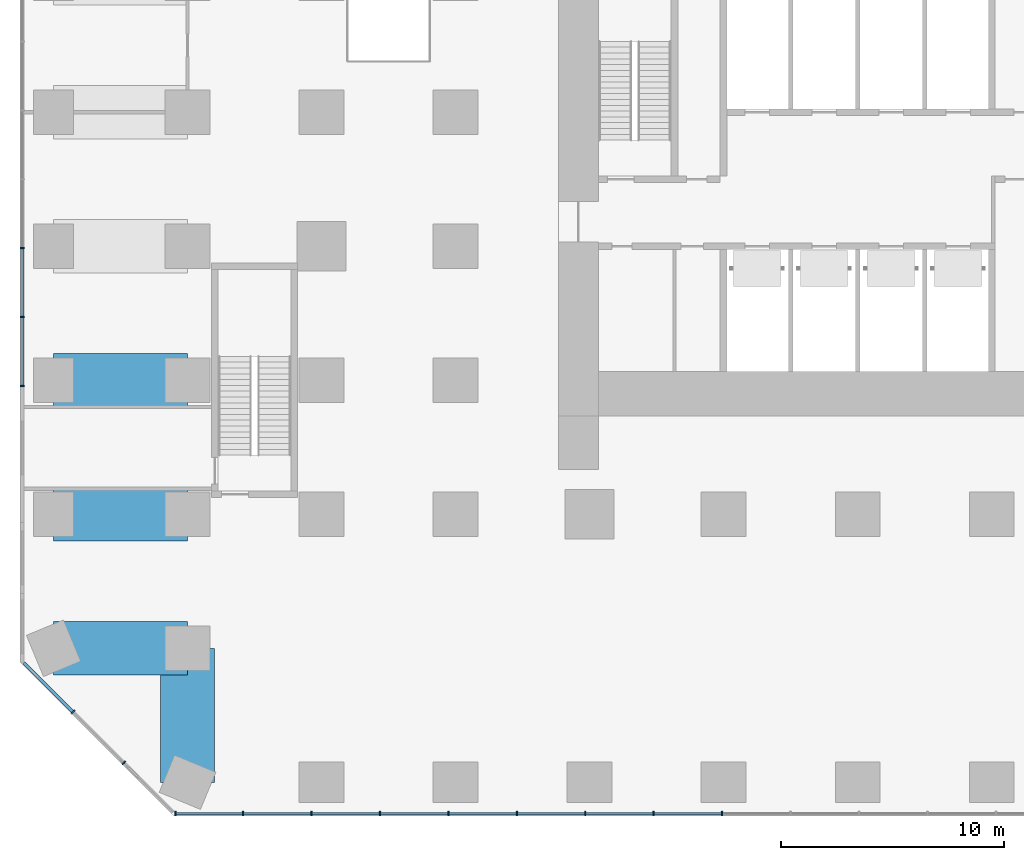
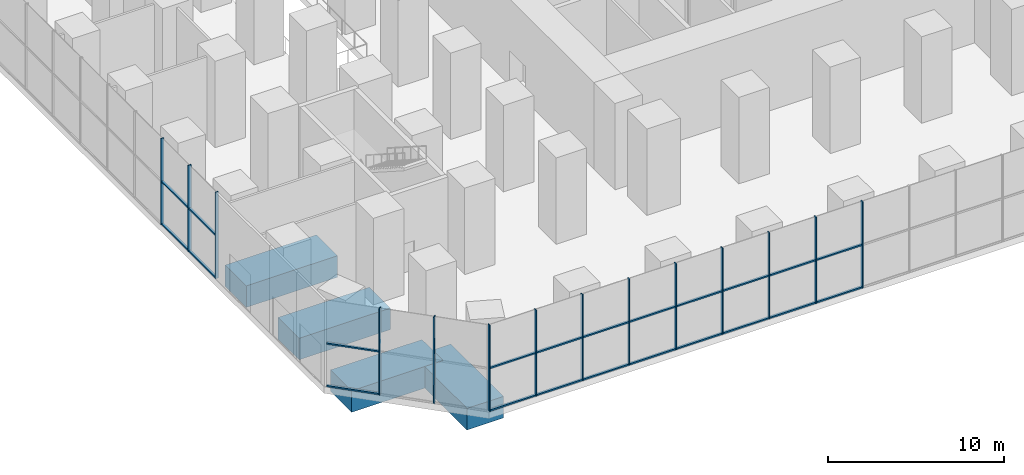
# One storey, part 2 of 21: 36 members, 4 beams, 3 elements without a shape of their own.
"""IFC4 building model written with IfcOpenShell, lengths in metres."""

from ifc_helpers import new_model, si_unit, direction, frame, origin, origin_2d, place, context, subcontext, project, spatial, rectangle, extrude, material, layer, layer_set, material_profile, profile_set, type_object, element, aggregate, save


model = new_model("IFC4")

# Units and contexts
model_context = context("Model", 3, precision=1e-05, world=origin(), true_north=direction((0.0, 1.0)))
body_context = subcontext(model_context, "Body", "Model", "MODEL_VIEW")
ifc_project = project(units=[si_unit("LENGTHUNIT", "METRE"), si_unit("AREAUNIT", "SQUARE_METRE"), si_unit("VOLUMEUNIT", "CUBIC_METRE"), si_unit("PLANEANGLEUNIT", "RADIAN"), si_unit("MASSUNIT", "GRAM", prefix="KILO")], contexts=[model_context])

# Site, building, storey
site_placement = place(None, origin())
site = spatial("IfcSite", under=ifc_project, at=site_placement, CompositionType="ELEMENT")
building_placement = place(site_placement, origin())
building = spatial("IfcBuilding", under=site, at=building_placement, Name="Highveld Stack Headquarters", CompositionType="ELEMENT")
storey_placement = place(building_placement, origin())
storey = spatial("IfcBuildingStorey", under=building, at=storey_placement, Name="L00", CompositionType="ELEMENT", Elevation=0.0)

# Curtain wall, members
ifc_material_1 = material(Name="Aluminium bronze anodised", Category="aluminium")
ifc_layer = layer(ifc_material_1, 0.199951171875)
ifc_layer_set = layer_set([ifc_layer], Name="Aluminium bronze anodised")
curtain_wall_type = type_object("IfcCurtainWallType", Name="CW3 PODIUM STICK CURTAIN WALL", PredefinedType="NOTDEFINED", material=ifc_layer_set)
curtain_wall_1_placement = place(storey_placement, origin())
curtain_wall_1 = element("IfcCurtainWall", 1, at=curtain_wall_1_placement, inside=storey, type_object=curtain_wall_type, Name="Curtain wall CW3 L00 S", PredefinedType="NOTDEFINED")
ifc_material_2 = material(Name="Aluminium bronze anodised", Category="aluminium")
ifc_material_profile_1 = material_profile(ifc_material_2, rectangle(XDim=0.199951171875, YDim=0.06494140625, at=origin_2d()), Name="CW3 MULLION 65x200")
ifc_profile_set_1 = profile_set([ifc_material_profile_1], Name="Aluminium bronze anodised")
member_type_1 = type_object("IfcMemberType", Name="CW3 MULLION 65x200", PredefinedType="MULLION", material=ifc_profile_set_1)
member_1_placement = place(storey_placement, frame((-24.54736328125, -25.39990234375, 0.0), z_axis=(0.0, 0.0, 1.0), x_axis=(0.0, 1.0, 0.0)))
member_1 = element("IfcMember", 2, at=member_1_placement, type_object=member_type_1, Name="CW3 mullion L00 1", PredefinedType="MULLION", context=body_context, shape_type="SweptSolid", body=[
    extrude(rectangle(XDim=0.199951171875, YDim=0.06494140625, at=origin_2d()), origin(), (0.0, 0.0, 1.0), 6.0),
])
member_2_placement = place(storey_placement, frame((-21.515380859375, -25.39990234375, 0.0), z_axis=(0.0, 0.0, 1.0), x_axis=(0.0, 1.0, 0.0)))
member_2 = element("IfcMember", 3, at=member_2_placement, type_object=member_type_1, Name="CW3 mullion L00 2", PredefinedType="MULLION", context=body_context, shape_type="SweptSolid", body=[
    extrude(rectangle(XDim=0.199951171875, YDim=0.06494140625, at=origin_2d()), origin(), (0.0, 0.0, 1.0), 6.0),
])
member_3_placement = place(storey_placement, frame((-18.450927734375, -25.39990234375, 0.0), z_axis=(0.0, 0.0, 1.0), x_axis=(0.0, 1.0, 0.0)))
member_3 = element("IfcMember", 4, at=member_3_placement, type_object=member_type_1, Name="CW3 mullion L00 3", PredefinedType="MULLION", context=body_context, shape_type="SweptSolid", body=[
    extrude(rectangle(XDim=0.199951171875, YDim=0.06494140625, at=origin_2d()), origin(), (0.0, 0.0, 1.0), 6.0),
])
member_4_placement = place(storey_placement, frame((-15.38671875, -25.39990234375, 0.0), z_axis=(0.0, 0.0, 1.0), x_axis=(0.0, 1.0, 0.0)))
member_4 = element("IfcMember", 5, at=member_4_placement, type_object=member_type_1, Name="CW3 mullion L00 4", PredefinedType="MULLION", context=body_context, shape_type="SweptSolid", body=[
    extrude(rectangle(XDim=0.199951171875, YDim=0.06494140625, at=origin_2d()), origin(), (0.0, 0.0, 1.0), 6.0),
])
member_5_placement = place(storey_placement, frame((-12.322265625, -25.39990234375, 0.0), z_axis=(0.0, 0.0, 1.0), x_axis=(0.0, 1.0, 0.0)))
member_5 = element("IfcMember", 6, at=member_5_placement, type_object=member_type_1, Name="CW3 mullion L00 5", PredefinedType="MULLION", context=body_context, shape_type="SweptSolid", body=[
    extrude(rectangle(XDim=0.199951171875, YDim=0.06494140625, at=origin_2d()), origin(), (0.0, 0.0, 1.0), 6.0),
])
member_6_placement = place(storey_placement, frame((-9.2578125, -25.39990234375, 0.0), z_axis=(0.0, 0.0, 1.0), x_axis=(0.0, 1.0, 0.0)))
member_6 = element("IfcMember", 7, at=member_6_placement, type_object=member_type_1, Name="CW3 mullion L00 6", PredefinedType="MULLION", context=body_context, shape_type="SweptSolid", body=[
    extrude(rectangle(XDim=0.199951171875, YDim=0.06494140625, at=origin_2d()), origin(), (0.0, 0.0, 1.0), 6.0),
])
member_7_placement = place(storey_placement, frame((-6.193359375, -25.39990234375, 0.0), z_axis=(0.0, 0.0, 1.0), x_axis=(0.0, 1.0, 0.0)))
member_7 = element("IfcMember", 8, at=member_7_placement, type_object=member_type_1, Name="CW3 mullion L00 7", PredefinedType="MULLION", context=body_context, shape_type="SweptSolid", body=[
    extrude(rectangle(XDim=0.199951171875, YDim=0.06494140625, at=origin_2d()), origin(), (0.0, 0.0, 1.0), 6.0),
])
member_8_placement = place(storey_placement, frame((-3.12890625, -25.39990234375, 0.0), z_axis=(0.0, 0.0, 1.0), x_axis=(0.0, 1.0, 0.0)))
member_8 = element("IfcMember", 9, at=member_8_placement, type_object=member_type_1, Name="CW3 mullion L00 8", PredefinedType="MULLION", context=body_context, shape_type="SweptSolid", body=[
    extrude(rectangle(XDim=0.199951171875, YDim=0.06494140625, at=origin_2d()), origin(), (0.0, 0.0, 1.0), 6.0),
])
member_9_placement = place(storey_placement, frame((-0.064453125, -25.39990234375, 0.0), z_axis=(0.0, 0.0, 1.0), x_axis=(0.0, 1.0, 0.0)))
member_9 = element("IfcMember", 10, at=member_9_placement, type_object=member_type_1, Name="CW3 mullion L00 9", PredefinedType="MULLION", context=body_context, shape_type="SweptSolid", body=[
    extrude(rectangle(XDim=0.199951171875, YDim=0.06494140625, at=origin_2d()), origin(), (0.0, 0.0, 1.0), 6.0),
])

curtain_wall_2_placement = place(storey_placement, origin())
curtain_wall_2 = element("IfcCurtainWall", 11, at=curtain_wall_2_placement, inside=storey, type_object=curtain_wall_type, Name="Curtain wall CW3 L00 W", PredefinedType="NOTDEFINED")
member_10_placement = place(storey_placement, frame((-31.39990234375, -0.082763671875, 0.0), z_axis=(0.0, 0.0, 1.0), x_axis=(1.0, 0.0, 0.0)))
member_10 = element("IfcMember", 12, at=member_10_placement, type_object=member_type_1, Name="CW3 mullion L00 9", PredefinedType="MULLION", context=body_context, shape_type="SweptSolid", body=[
    extrude(rectangle(XDim=0.199951171875, YDim=0.06494140625, at=origin_2d()), origin(), (0.0, 0.0, 1.0), 6.0),
])
member_11_placement = place(storey_placement, frame((-31.39990234375, -3.165771484375, 0.0), z_axis=(0.0, 0.0, 1.0), x_axis=(1.0, 0.0, 0.0)))
member_11 = element("IfcMember", 13, at=member_11_placement, type_object=member_type_1, Name="CW3 mullion L00 10", PredefinedType="MULLION", context=body_context, shape_type="SweptSolid", body=[
    extrude(rectangle(XDim=0.199951171875, YDim=0.06494140625, at=origin_2d()), origin(), (0.0, 0.0, 1.0), 6.0),
])
member_12_placement = place(storey_placement, frame((-31.39990234375, -6.24853515625, 0.0), z_axis=(0.0, 0.0, 1.0), x_axis=(1.0, 0.0, 0.0)))
member_12 = element("IfcMember", 14, at=member_12_placement, type_object=member_type_1, Name="CW3 mullion L00 11", PredefinedType="MULLION", context=body_context, shape_type="SweptSolid", body=[
    extrude(rectangle(XDim=0.199951171875, YDim=0.06494140625, at=origin_2d()), origin(), (0.0, 0.0, 1.0), 6.0),
])

curtain_wall_3_placement = place(storey_placement, origin())
curtain_wall_3 = element("IfcCurtainWall", 15, at=curtain_wall_3_placement, inside=storey, type_object=curtain_wall_type, Name="Curtain wall CW3 L00 SW", PredefinedType="NOTDEFINED")
member_13_placement = place(storey_placement, frame((-29.126708984375, -20.853271484375, 0.0), z_axis=(0.0, 0.0, 1.0), x_axis=(0.707106781187, 0.707106781187, 0.0)))
member_13 = element("IfcMember", 16, at=member_13_placement, type_object=member_type_1, Name="CW3 mullion L00 1", PredefinedType="MULLION", context=body_context, shape_type="SweptSolid", body=[
    extrude(rectangle(XDim=0.199951171875, YDim=0.06494140625, at=origin_2d()), origin(), (0.0, 0.0, 1.0), 6.0),
])
member_14_placement = place(storey_placement, frame((-26.853271484375, -23.126708984375, 0.0), z_axis=(0.0, 0.0, 1.0), x_axis=(0.707106781187, 0.707106781187, 0.0)))
member_14 = element("IfcMember", 17, at=member_14_placement, type_object=member_type_1, Name="CW3 mullion L00 2", PredefinedType="MULLION", context=body_context, shape_type="SweptSolid", body=[
    extrude(rectangle(XDim=0.199951171875, YDim=0.06494140625, at=origin_2d()), origin(), (0.0, 0.0, 1.0), 6.0),
])

# Member
ifc_material_3 = material(Name="Aluminium bronze anodised", Category="aluminium")
ifc_material_profile_2 = material_profile(ifc_material_3, rectangle(XDim=0.14990234375, YDim=0.10009765625, at=origin_2d()), Name="CW3 TRANSOM 150x100")
ifc_profile_set_2 = profile_set([ifc_material_profile_2], Name="Aluminium bronze anodised")
member_type_2 = type_object("IfcMemberType", Name="CW3 STACK TRANSOM 150x100", PredefinedType="USERDEFINED", material=ifc_profile_set_2)
member_15_placement = place(storey_placement, frame((-24.514892578125, -25.39990234375, 0.050048828125), z_axis=(1.0, 0.0, 0.0), x_axis=(0.0, 1.0, 0.0)))
member_15 = element("IfcMember", 18, at=member_15_placement, type_object=member_type_2, Name="CW3 transom L00 1.1", ObjectType="TRANSOM", PredefinedType="USERDEFINED", context=body_context, shape_type="SweptSolid", body=[
    extrude(rectangle(XDim=0.14990234375, YDim=0.10009765625, at=origin_2d()), origin(), (0.0, 0.0, 1.0), 2.966796875),
])

member_16_placement = place(storey_placement, frame((-24.514892578125, -25.39990234375, 3.0), z_axis=(1.0, 0.0, 0.0), x_axis=(0.0, 1.0, 0.0)))
member_16 = element("IfcMember", 19, at=member_16_placement, type_object=member_type_2, Name="CW3 transom L00 1.2", ObjectType="TRANSOM", PredefinedType="USERDEFINED", context=body_context, shape_type="SweptSolid", body=[
    extrude(rectangle(XDim=0.14990234375, YDim=0.10009765625, at=origin_2d()), origin(), (0.0, 0.0, 1.0), 2.966796875),
])

member_17_placement = place(storey_placement, frame((-21.48291015625, -25.39990234375, 0.050048828125), z_axis=(1.0, 0.0, 0.0), x_axis=(0.0, 1.0, 0.0)))
member_17 = element("IfcMember", 20, at=member_17_placement, type_object=member_type_2, Name="CW3 transom L00 2.1", ObjectType="TRANSOM", PredefinedType="USERDEFINED", context=body_context, shape_type="SweptSolid", body=[
    extrude(rectangle(XDim=0.14990234375, YDim=0.10009765625, at=origin_2d()), origin(), (0.0, 0.0, 1.0), 2.99951171875),
])

member_18_placement = place(storey_placement, frame((-21.48291015625, -25.39990234375, 3.0), z_axis=(1.0, 0.0, 0.0), x_axis=(0.0, 1.0, 0.0)))
member_18 = element("IfcMember", 21, at=member_18_placement, type_object=member_type_2, Name="CW3 transom L00 2.2", ObjectType="TRANSOM", PredefinedType="USERDEFINED", context=body_context, shape_type="SweptSolid", body=[
    extrude(rectangle(XDim=0.14990234375, YDim=0.10009765625, at=origin_2d()), origin(), (0.0, 0.0, 1.0), 2.99951171875),
])

member_19_placement = place(storey_placement, frame((-18.41845703125, -25.39990234375, 0.050048828125), z_axis=(1.0, 0.0, 0.0), x_axis=(0.0, 1.0, 0.0)))
member_19 = element("IfcMember", 22, at=member_19_placement, type_object=member_type_2, Name="CW3 transom L00 3.1", ObjectType="TRANSOM", PredefinedType="USERDEFINED", context=body_context, shape_type="SweptSolid", body=[
    extrude(rectangle(XDim=0.14990234375, YDim=0.10009765625, at=origin_2d()), origin(), (0.0, 0.0, 1.0), 2.999267578125),
])

member_20_placement = place(storey_placement, frame((-18.41845703125, -25.39990234375, 3.0), z_axis=(1.0, 0.0, 0.0), x_axis=(0.0, 1.0, 0.0)))
member_20 = element("IfcMember", 23, at=member_20_placement, type_object=member_type_2, Name="CW3 transom L00 3.2", ObjectType="TRANSOM", PredefinedType="USERDEFINED", context=body_context, shape_type="SweptSolid", body=[
    extrude(rectangle(XDim=0.14990234375, YDim=0.10009765625, at=origin_2d()), origin(), (0.0, 0.0, 1.0), 2.999267578125),
])

member_21_placement = place(storey_placement, frame((-15.35400390625, -25.39990234375, 0.050048828125), z_axis=(1.0, 0.0, 0.0), x_axis=(0.0, 1.0, 0.0)))
member_21 = element("IfcMember", 24, at=member_21_placement, type_object=member_type_2, Name="CW3 transom L00 4.1", ObjectType="TRANSOM", PredefinedType="USERDEFINED", context=body_context, shape_type="SweptSolid", body=[
    extrude(rectangle(XDim=0.14990234375, YDim=0.10009765625, at=origin_2d()), origin(), (0.0, 0.0, 1.0), 2.999267578125),
])

member_22_placement = place(storey_placement, frame((-15.35400390625, -25.39990234375, 3.0), z_axis=(1.0, 0.0, 0.0), x_axis=(0.0, 1.0, 0.0)))
member_22 = element("IfcMember", 25, at=member_22_placement, type_object=member_type_2, Name="CW3 transom L00 4.2", ObjectType="TRANSOM", PredefinedType="USERDEFINED", context=body_context, shape_type="SweptSolid", body=[
    extrude(rectangle(XDim=0.14990234375, YDim=0.10009765625, at=origin_2d()), origin(), (0.0, 0.0, 1.0), 2.999267578125),
])

member_23_placement = place(storey_placement, frame((-12.289794921875, -25.39990234375, 0.050048828125), z_axis=(1.0, 0.0, 0.0), x_axis=(0.0, 1.0, 0.0)))
member_23 = element("IfcMember", 26, at=member_23_placement, type_object=member_type_2, Name="CW3 transom L00 5.1", ObjectType="TRANSOM", PredefinedType="USERDEFINED", context=body_context, shape_type="SweptSolid", body=[
    extrude(rectangle(XDim=0.14990234375, YDim=0.10009765625, at=origin_2d()), origin(), (0.0, 0.0, 1.0), 2.99951171875),
])

member_24_placement = place(storey_placement, frame((-12.289794921875, -25.39990234375, 3.0), z_axis=(1.0, 0.0, 0.0), x_axis=(0.0, 1.0, 0.0)))
member_24 = element("IfcMember", 27, at=member_24_placement, type_object=member_type_2, Name="CW3 transom L00 5.2", ObjectType="TRANSOM", PredefinedType="USERDEFINED", context=body_context, shape_type="SweptSolid", body=[
    extrude(rectangle(XDim=0.14990234375, YDim=0.10009765625, at=origin_2d()), origin(), (0.0, 0.0, 1.0), 2.99951171875),
])

member_25_placement = place(storey_placement, frame((-9.22509765625, -25.39990234375, 0.050048828125), z_axis=(1.0, 0.0, 0.0), x_axis=(0.0, 1.0, 0.0)))
member_25 = element("IfcMember", 28, at=member_25_placement, type_object=member_type_2, Name="CW3 transom L00 6.1", ObjectType="TRANSOM", PredefinedType="USERDEFINED", context=body_context, shape_type="SweptSolid", body=[
    extrude(rectangle(XDim=0.14990234375, YDim=0.10009765625, at=origin_2d()), origin(), (0.0, 0.0, 1.0), 2.999267578125),
])

member_26_placement = place(storey_placement, frame((-9.22509765625, -25.39990234375, 3.0), z_axis=(1.0, 0.0, 0.0), x_axis=(0.0, 1.0, 0.0)))
member_26 = element("IfcMember", 29, at=member_26_placement, type_object=member_type_2, Name="CW3 transom L00 6.2", ObjectType="TRANSOM", PredefinedType="USERDEFINED", context=body_context, shape_type="SweptSolid", body=[
    extrude(rectangle(XDim=0.14990234375, YDim=0.10009765625, at=origin_2d()), origin(), (0.0, 0.0, 1.0), 2.999267578125),
])

member_27_placement = place(storey_placement, frame((-6.160888671875, -25.39990234375, 0.050048828125), z_axis=(1.0, 0.0, 0.0), x_axis=(0.0, 1.0, 0.0)))
member_27 = element("IfcMember", 30, at=member_27_placement, type_object=member_type_2, Name="CW3 transom L00 7.1", ObjectType="TRANSOM", PredefinedType="USERDEFINED", context=body_context, shape_type="SweptSolid", body=[
    extrude(rectangle(XDim=0.14990234375, YDim=0.10009765625, at=origin_2d()), origin(), (0.0, 0.0, 1.0), 2.99951171875),
])

member_28_placement = place(storey_placement, frame((-6.160888671875, -25.39990234375, 3.0), z_axis=(1.0, 0.0, 0.0), x_axis=(0.0, 1.0, 0.0)))
member_28 = element("IfcMember", 31, at=member_28_placement, type_object=member_type_2, Name="CW3 transom L00 7.2", ObjectType="TRANSOM", PredefinedType="USERDEFINED", context=body_context, shape_type="SweptSolid", body=[
    extrude(rectangle(XDim=0.14990234375, YDim=0.10009765625, at=origin_2d()), origin(), (0.0, 0.0, 1.0), 2.99951171875),
])

member_29_placement = place(storey_placement, frame((-3.096435546875, -25.39990234375, 0.050048828125), z_axis=(1.0, 0.0, 0.0), x_axis=(0.0, 1.0, 0.0)))
member_29 = element("IfcMember", 32, at=member_29_placement, type_object=member_type_2, Name="CW3 transom L00 8.1", ObjectType="TRANSOM", PredefinedType="USERDEFINED", context=body_context, shape_type="SweptSolid", body=[
    extrude(rectangle(XDim=0.14990234375, YDim=0.10009765625, at=origin_2d()), origin(), (0.0, 0.0, 1.0), 2.99951171875),
])

member_30_placement = place(storey_placement, frame((-3.096435546875, -25.39990234375, 3.0), z_axis=(1.0, 0.0, 0.0), x_axis=(0.0, 1.0, 0.0)))
member_30 = element("IfcMember", 33, at=member_30_placement, type_object=member_type_2, Name="CW3 transom L00 8.2", ObjectType="TRANSOM", PredefinedType="USERDEFINED", context=body_context, shape_type="SweptSolid", body=[
    extrude(rectangle(XDim=0.14990234375, YDim=0.10009765625, at=origin_2d()), origin(), (0.0, 0.0, 1.0), 2.99951171875),
])

aggregate(curtain_wall_1, [member_1, member_2, member_3, member_4, member_5, member_6, member_7, member_8, member_9, member_15, member_16, member_17, member_18, member_19, member_20, member_21, member_22, member_23, member_24, member_25, member_26, member_27, member_28, member_29, member_30])

member_31_placement = place(storey_placement, frame((-31.39990234375, -0.115234375, 0.050048828125), z_axis=(0.0, -1.0, 0.0), x_axis=(1.0, 0.0, 0.0)))
member_31 = element("IfcMember", 34, at=member_31_placement, type_object=member_type_2, Name="CW3 transom L00 9.1", ObjectType="TRANSOM", PredefinedType="USERDEFINED", context=body_context, shape_type="SweptSolid", body=[
    extrude(rectangle(XDim=0.14990234375, YDim=0.10009765625, at=origin_2d()), origin(), (0.0, 0.0, 1.0), 3.01806640625),
])

member_32_placement = place(storey_placement, frame((-31.39990234375, -0.115234375, 3.0), z_axis=(0.0, -1.0, 0.0), x_axis=(1.0, 0.0, 0.0)))
member_32 = element("IfcMember", 35, at=member_32_placement, type_object=member_type_2, Name="CW3 transom L00 9.2", ObjectType="TRANSOM", PredefinedType="USERDEFINED", context=body_context, shape_type="SweptSolid", body=[
    extrude(rectangle(XDim=0.14990234375, YDim=0.10009765625, at=origin_2d()), origin(), (0.0, 0.0, 1.0), 3.01806640625),
])

member_33_placement = place(storey_placement, frame((-31.39990234375, -3.1982421875, 0.050048828125), z_axis=(0.0, -1.0, 0.0), x_axis=(1.0, 0.0, 0.0)))
member_33 = element("IfcMember", 36, at=member_33_placement, type_object=member_type_2, Name="CW3 transom L00 10.1", ObjectType="TRANSOM", PredefinedType="USERDEFINED", context=body_context, shape_type="SweptSolid", body=[
    extrude(rectangle(XDim=0.14990234375, YDim=0.10009765625, at=origin_2d()), origin(), (0.0, 0.0, 1.0), 3.017822265625),
])

member_34_placement = place(storey_placement, frame((-31.39990234375, -3.1982421875, 3.0), z_axis=(0.0, -1.0, 0.0), x_axis=(1.0, 0.0, 0.0)))
member_34 = element("IfcMember", 37, at=member_34_placement, type_object=member_type_2, Name="CW3 transom L00 10.2", ObjectType="TRANSOM", PredefinedType="USERDEFINED", context=body_context, shape_type="SweptSolid", body=[
    extrude(rectangle(XDim=0.14990234375, YDim=0.10009765625, at=origin_2d()), origin(), (0.0, 0.0, 1.0), 3.017822265625),
])

aggregate(curtain_wall_2, [member_10, member_11, member_12, member_31, member_32, member_33, member_34])

member_35_placement = place(storey_placement, frame((-31.329345703125, -18.650634765625, 0.050048828125), z_axis=(0.707106781187, -0.707106781187, 0.0), x_axis=(0.707106781187, 0.707106781187, 0.0)))
member_35 = element("IfcMember", 38, at=member_35_placement, type_object=member_type_2, Name="CW3 transom L00 1.1", ObjectType="TRANSOM", PredefinedType="USERDEFINED", context=body_context, shape_type="SweptSolid", body=[
    extrude(rectangle(XDim=0.14990234375, YDim=0.10009765625, at=origin_2d()), origin(), (0.0, 0.0, 1.0), 3.08251953125),
])

member_36_placement = place(storey_placement, frame((-31.329345703125, -18.650634765625, 3.0), z_axis=(0.707106781187, -0.707106781187, 0.0), x_axis=(0.707106781187, 0.707106781187, 0.0)))
member_36 = element("IfcMember", 39, at=member_36_placement, type_object=member_type_2, Name="CW3 transom L00 1.2", ObjectType="TRANSOM", PredefinedType="USERDEFINED", context=body_context, shape_type="SweptSolid", body=[
    extrude(rectangle(XDim=0.14990234375, YDim=0.10009765625, at=origin_2d()), origin(), (0.0, 0.0, 1.0), 3.08251953125),
])

aggregate(curtain_wall_3, [member_13, member_14, member_35, member_36])

# Beams
ifc_material_4 = material(Name="Concrete C60/75", Category="concrete")
ifc_material_profile_3 = material_profile(ifc_material_4, rectangle(XDim=2.39990234375, YDim=1.5, at=origin_2d()), Name="RC 2400x1500")
ifc_profile_set_3 = profile_set([ifc_material_profile_3], Name="Concrete C60/75")
beam_type = type_object("IfcBeamType", Name="TRANSFER GIRDER RC 2400x1500 C60/75", PredefinedType="USERDEFINED", material=ifc_profile_set_3)
for number, where, z_axis, x_axis, name in (
    (40, (-24.0, -18.0, -1.199951171875), (-1.0, 0.0, 0.0), (0.0, -1.0, 0.0), "Transfer girder 2/B"),
    (41, (-24.0, -12.0, -1.199951171875), (-1.0, 0.0, 0.0), (0.0, -1.0, 0.0), "Transfer girder 2/C"),
    (42, (-24.0, -6.0, -1.199951171875), (-1.0, 0.0, 0.0), (0.0, -1.0, 0.0), "Transfer girder 2/D"),
    (43, (-24.0, -18.0, -1.199951171875), (0.0, -1.0, 0.0), (1.0, 0.0, 0.0), "Transfer girder 2/B"),
):
    element("IfcBeam", number, at=place(storey_placement, frame(where, z_axis=z_axis, x_axis=x_axis)), inside=storey, type_object=beam_type, Name=name, ObjectType="TRANSFER GIRDER", PredefinedType="USERDEFINED", context=body_context, shape_type="SweptSolid", body=[
        extrude(rectangle(XDim=2.39990234375, YDim=1.5, at=origin_2d()), origin(), (0.0, 0.0, 1.0), 6.0),
    ])

save(model, "model.ifc")
